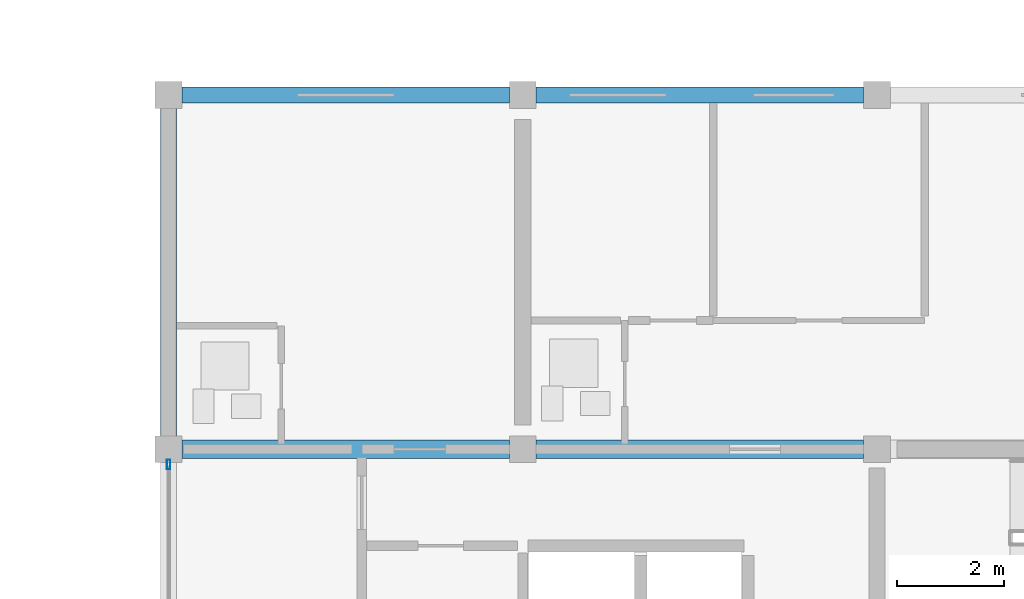
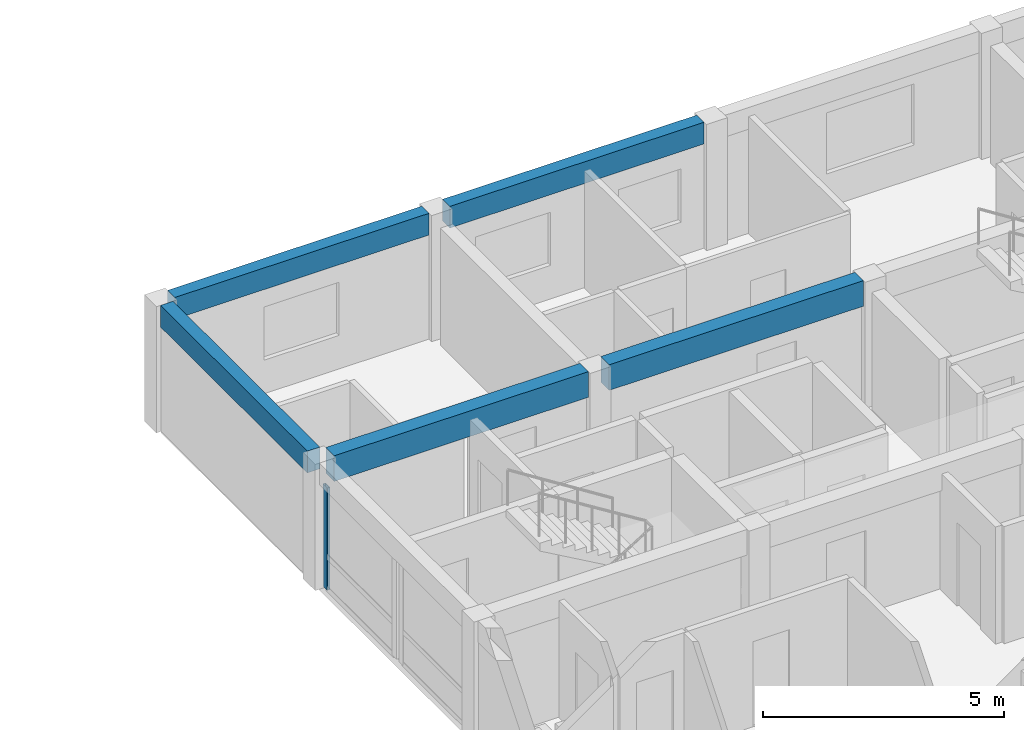
# One storey, part 19 of 46: 5 beams, 1 member, 1 element without a shape of its own.
"""IFC4 building model written with IfcOpenShell, lengths in metres."""

from ifc_helpers import new_model, si_unit, direction, frame, origin, origin_2d, place, context, subcontext, project, spatial, rectangle, hollow_rectangle, extrude, material, material_profile, profile_set, type_object, element, aggregate, save


model = new_model("IFC4")

# Units and contexts
model_context = context("Model", 3, precision=1e-05, world=origin(), true_north=direction((0.0, 1.0)))
body_context = subcontext(model_context, "Body", "Model", "MODEL_VIEW")
ifc_project = project(units=[si_unit("LENGTHUNIT", "METRE"), si_unit("AREAUNIT", "SQUARE_METRE"), si_unit("VOLUMEUNIT", "CUBIC_METRE"), si_unit("PLANEANGLEUNIT", "RADIAN"), si_unit("MASSUNIT", "GRAM", prefix="KILO")], contexts=[model_context])

# Site, building, storey
site_placement = place(None, origin())
site = spatial("IfcSite", under=ifc_project, at=site_placement, CompositionType="ELEMENT")
building_placement = place(site_placement, origin())
building = spatial("IfcBuilding", under=site, at=building_placement, Name="Kernevlak Ridge Housing Community", CompositionType="ELEMENT")
storey_placement = place(building_placement, frame((0.0, 0.0, 27.60009765625)))
storey = spatial("IfcBuildingStorey", under=building, at=storey_placement, Name="L08", CompositionType="ELEMENT", Elevation=27.60009765625)

# Beams
ifc_material_1 = material(Name="Concrete C35/45", Category="concrete")
ifc_material_profile_1 = material_profile(ifc_material_1, rectangle(XDim=0.35009765625, YDim=0.64990234375, at=origin_2d()), Name="RC 350x650")
ifc_profile_set_1 = profile_set([ifc_material_profile_1], Name="Concrete C35/45")
beam_type_1 = type_object("IfcBeamType", Name="B-02", PredefinedType="BEAM", material=ifc_profile_set_1)
for number, where, z_axis, x_axis, name in (
    (1, (119.64990234375, 95.800048828125, 2.875), (1.0, 0.0, 0.0), (0.0, 1.0, 0.0), "Beam B-02 L08 795"),
    (2, (126.25, 95.800048828125, 2.875), (1.0, 0.0, 0.0), (0.0, 1.0, 0.0), "Beam B-02 L08 796"),
):
    element("IfcBeam", number, at=place(storey_placement, frame(where, z_axis=z_axis, x_axis=x_axis)), inside=storey, type_object=beam_type_1, Name=name, PredefinedType="BEAM", context=body_context, shape_type="SweptSolid", body=[
        extrude(rectangle(XDim=0.35009765625, YDim=0.64990234375, at=origin_2d()), origin(), (0.0, 0.0, 1.0), 6.10009765625),
    ])

# Curtain wall, member
ifc_material_2 = material(Name="Aluminium EN AW-6060 anodised and laminated glass", Category="aluminium")
curtain_wall_type = type_object("IfcCurtainWallType", Name="CW-09", PredefinedType="NOTDEFINED", material=ifc_material_2)
curtain_wall_placement = place(storey_placement, origin())
curtain_wall = element("IfcCurtainWall", 3, at=curtain_wall_placement, inside=storey, type_object=curtain_wall_type, Name="Curtain wall CW-09 CW-L08-080", PredefinedType="NOTDEFINED")
ifc_material_3 = material(Name="Aluminium EN AW-6060 anodised", Category="aluminium")
ifc_material_profile_2 = material_profile(ifc_material_3, hollow_rectangle(XDim=0.06494140625, YDim=0.179931640625, WallThickness=0.00439453125, InnerFilletRadius=0.001953125, OuterFilletRadius=0.00439453125, at=origin_2d()), Name="ALU 65x180x4.5")
ifc_profile_set_2 = profile_set([ifc_material_profile_2], Name="Aluminium EN AW-6060 anodised")
member_type = type_object("IfcMemberType", Name="MU-03", PredefinedType="MULLION", material=ifc_profile_set_2)
member_placement = place(storey_placement, frame((119.39990234375, 95.517578125, 0.0), z_axis=(0.0, 0.0, 1.0), x_axis=(-1.0, 0.0, 0.0)))
member = element("IfcMember", 4, at=member_placement, type_object=member_type, Name="CW-09 mullion 2", PredefinedType="MULLION", context=body_context, shape_type="SweptSolid", body=[
    extrude(hollow_rectangle(XDim=0.06494140625, YDim=0.179931640625, WallThickness=0.00439453125, InnerFilletRadius=0.001953125, OuterFilletRadius=0.00439453125, at=origin_2d()), origin(), (0.0, 0.0, 1.0), 2.599853515625),
])
aggregate(curtain_wall, [member])

# Beams
ifc_material_profile_3 = material_profile(ifc_material_1, rectangle(XDim=0.300048828125, YDim=0.550048828125, at=origin_2d()), Name="RC 300x550")
ifc_profile_set_3 = profile_set([ifc_material_profile_3], Name="Concrete C35/45")
beam_type_2 = type_object("IfcBeamType", Name="SP-01", PredefinedType="SPANDREL", material=ifc_profile_set_3)
for number, where, z_axis, x_axis, name in (
    (5, (119.64990234375, 102.39990234375, 2.9248046875), (1.0, 0.0, 0.0), (0.0, 1.0, 0.0), "Beam SP-01 L08 800"),
    (6, (126.25, 102.39990234375, 2.9248046875), (1.0, 0.0, 0.0), (0.0, 1.0, 0.0), "Beam SP-01 L08 801"),
):
    element("IfcBeam", number, at=place(storey_placement, frame(where, z_axis=z_axis, x_axis=x_axis)), inside=storey, type_object=beam_type_2, Name=name, PredefinedType="SPANDREL", context=body_context, shape_type="SweptSolid", body=[
        extrude(rectangle(XDim=0.300048828125, YDim=0.550048828125, at=origin_2d()), origin(), (0.0, 0.0, 1.0), 6.10009765625),
    ])
beam_placement = place(storey_placement, frame((119.39990234375, 96.050048828125, 2.9248046875), z_axis=(0.0, 1.0, 0.0), x_axis=(-1.0, 0.0, 0.0)))
element("IfcBeam", 7, at=beam_placement, inside=storey, type_object=beam_type_2, Name="Beam SP-01 L08 807", PredefinedType="SPANDREL", context=body_context, shape_type="SweptSolid", body=[
    extrude(rectangle(XDim=0.300048828125, YDim=0.550048828125, at=origin_2d()), origin(), (0.0, 0.0, 1.0), 6.099853515625),
])

save(model, "model.ifc")
